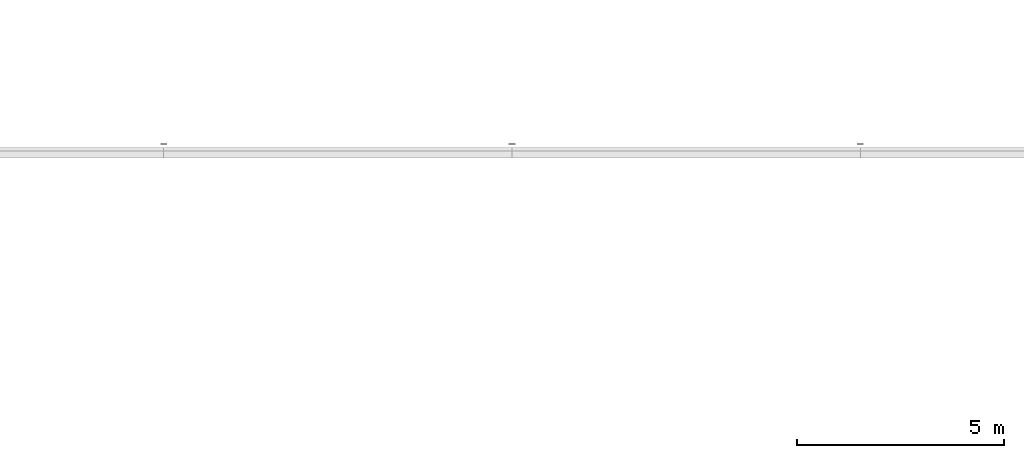
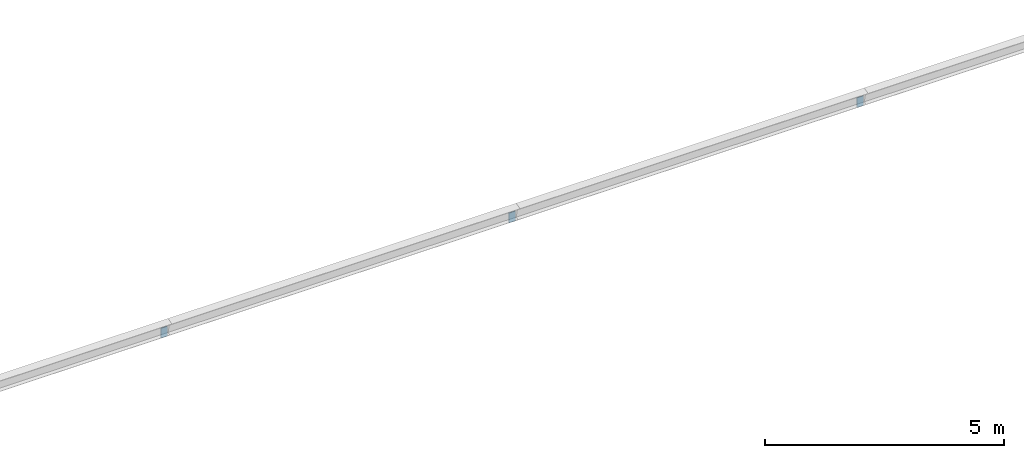
# One storey, part 39 of 82: 3 discrete accessories.
"""IFC4 building model written with IfcOpenShell, lengths in metres."""

from ifc_helpers import new_model, si_unit, direction, frame, origin, origin_2d, place, context, subcontext, project, spatial, rectangle, extrude, material, type_object, element, save


model = new_model("IFC4")

# Units and contexts
model_context = context("Model", 3, precision=1e-05, world=origin(), true_north=direction((0.0, 1.0)))
body_context = subcontext(model_context, "Body", "Model", "MODEL_VIEW")
ifc_project = project(units=[si_unit("LENGTHUNIT", "METRE"), si_unit("AREAUNIT", "SQUARE_METRE"), si_unit("VOLUMEUNIT", "CUBIC_METRE"), si_unit("PLANEANGLEUNIT", "RADIAN"), si_unit("MASSUNIT", "GRAM", prefix="KILO")], contexts=[model_context])

# Site, building, storey
site_placement = place(None, origin())
site = spatial("IfcSite", under=ifc_project, at=site_placement, CompositionType="ELEMENT")
building_placement = place(site_placement, origin())
building = spatial("IfcBuilding", under=site, at=building_placement, Name="Almond Square Museum", CompositionType="ELEMENT")
storey_placement = place(building_placement, frame((0.0, 0.0, 20.0)))
storey = spatial("IfcBuildingStorey", under=building, at=storey_placement, Name="L03", CompositionType="ELEMENT", Elevation=20.0)

# Discrete accessories
ifc_material = material(Name="Structural steel S355", Category="steel")
discrete_accessory_type = type_object("IfcDiscreteAccessoryType", Name="Truss end cap", PredefinedType="BRACKET", material=ifc_material)
for number, where, z_axis, x_axis, name in (
    (1, (14.39990234375, 112.2099609375, 0.238525390625), (0.0, 0.0, 1.0), (1.0, 0.0, 0.0), "Truss end cap"),
    (2, (22.800048828125, 112.2099609375, 0.238525390625), (0.0, 0.0, 1.0), (1.0, 0.0, 0.0), "Truss end cap"),
    (3, (31.199951171875, 112.2099609375, 0.238525390625), (0.0, 0.0, 1.0), (1.0, 0.0, 0.0), "Truss end cap"),
):
    element("IfcDiscreteAccessory", number, at=place(storey_placement, frame(where, z_axis=z_axis, x_axis=x_axis)), inside=storey, type_object=discrete_accessory_type, Name=name, PredefinedType="BRACKET", context=body_context, shape_type="SweptSolid", body=[
        extrude(rectangle(XDim=0.14990234375, YDim=0.02001953125, at=origin_2d()), origin(), (0.0, 0.0, 1.0), 0.25),
    ])

save(model, "model.ifc")
